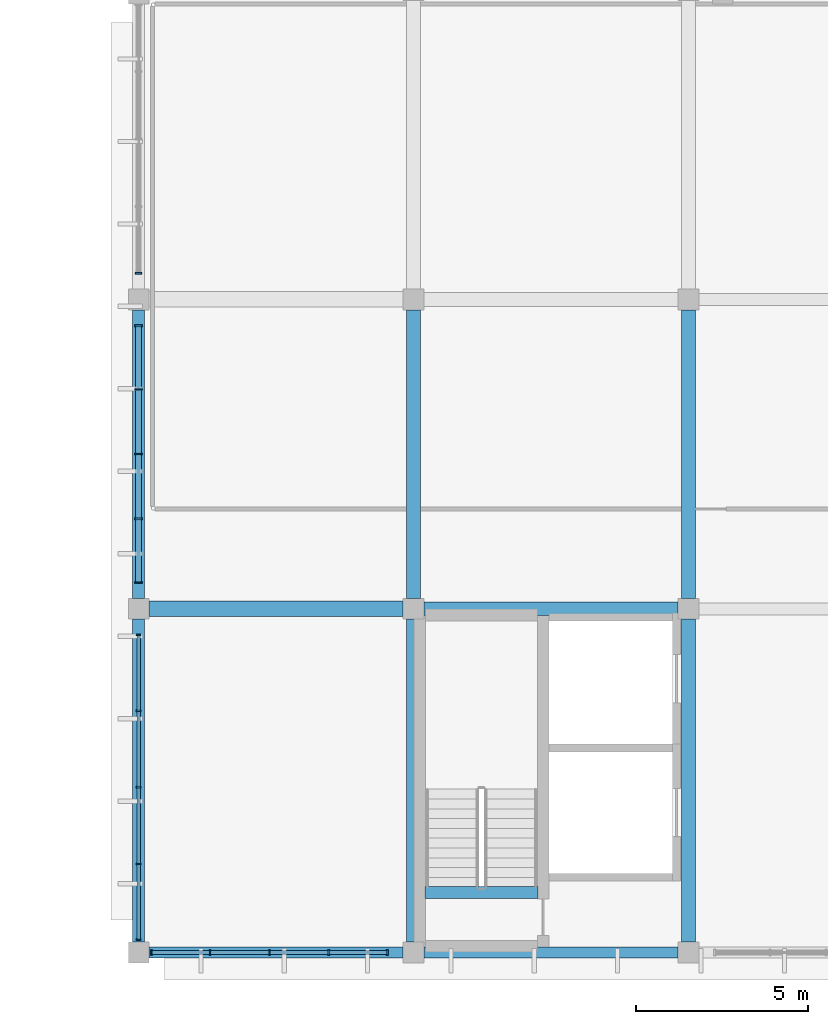
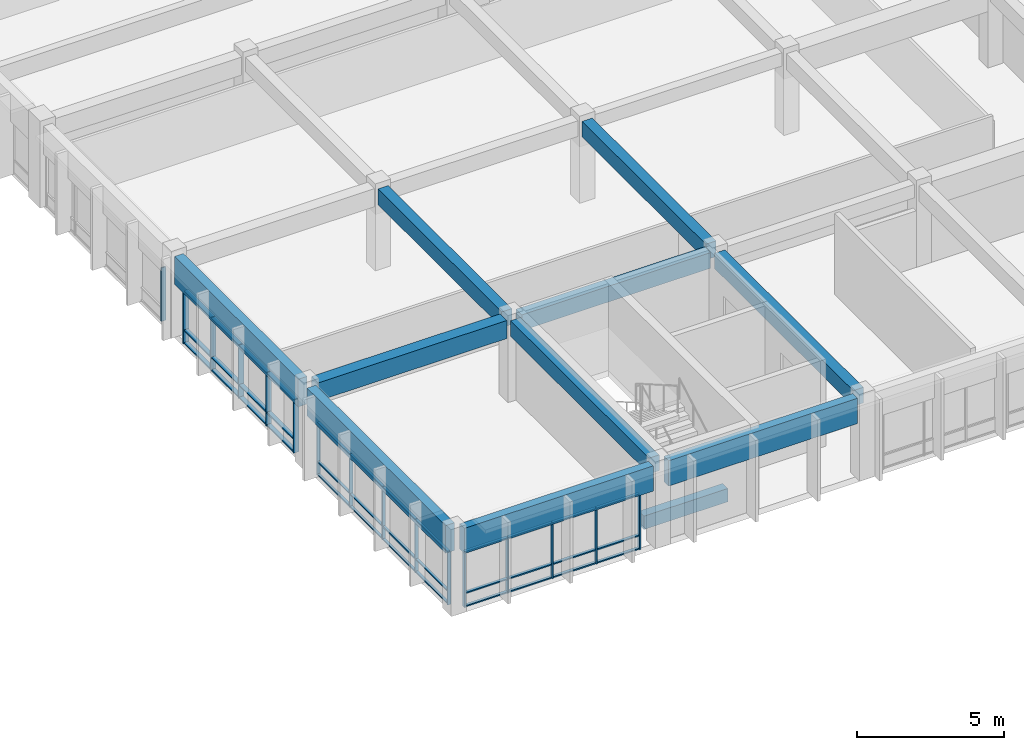
# One storey, part 12 of 155: 52 members, 11 beams, 4 elements without a shape of their own.
"""IFC4 building model written with IfcOpenShell, lengths in metres."""

from ifc_helpers import new_model, si_unit, direction, frame, origin, origin_2d, place, context, subcontext, project, spatial, rectangle, extrude, material, material_profile, profile_set, type_object, element, aggregate, save


model = new_model("IFC4")

# Units and contexts
model_context = context("Model", 3, precision=1e-05, world=origin(), true_north=direction((0.0, 1.0)))
body_context = subcontext(model_context, "Body", "Model", "MODEL_VIEW")
ifc_project = project(units=[si_unit("LENGTHUNIT", "METRE"), si_unit("AREAUNIT", "SQUARE_METRE"), si_unit("VOLUMEUNIT", "CUBIC_METRE"), si_unit("PLANEANGLEUNIT", "RADIAN"), si_unit("MASSUNIT", "GRAM", prefix="KILO")], contexts=[model_context])

# Site, building, storey
site_placement = place(None, origin())
site = spatial("IfcSite", under=ifc_project, at=site_placement, CompositionType="ELEMENT")
building_placement = place(site_placement, origin())
building = spatial("IfcBuilding", under=site, at=building_placement, Name="Larkveld Mobility Hub", CompositionType="ELEMENT")
storey_placement = place(building_placement, frame((0.0, 0.0, 8.39990234375)))
storey = spatial("IfcBuildingStorey", under=building, at=storey_placement, Name="L02", CompositionType="ELEMENT", Elevation=8.39990234375)

# Beams
ifc_material_1 = material(Name="Concrete C40/50", Category="concrete")
ifc_material_profile_1 = material_profile(ifc_material_1, rectangle(XDim=0.35009765625, YDim=0.550048828125, at=origin_2d()), Name="RC BM 350x550")
ifc_profile_set_1 = profile_set([ifc_material_profile_1], Name="Concrete C40/50")
beam_type_1 = type_object("IfcBeamType", Name="BM-RC3555", PredefinedType="BEAM", material=ifc_profile_set_1)
beam_1_placement = place(storey_placement, frame((120.330078125, 1.739990234375, -0.27001953125), z_axis=(1.0, 0.0, 0.0), x_axis=(0.0, 1.0, 0.0)))
element("IfcBeam", 1, at=beam_1_placement, inside=storey, type_object=beam_type_1, Name="Core C4 Stair Header Beam L02", PredefinedType="BEAM", context=body_context, shape_type="SweptSolid", body=[
    extrude(rectangle(XDim=0.35009765625, YDim=0.550048828125, at=origin_2d()), origin(), (0.0, 0.0, 1.0), 3.2900390625),
])
ifc_material_profile_2 = material_profile(ifc_material_1, rectangle(XDim=0.39990234375, YDim=0.64990234375, at=origin_2d()), Name="RC BM 400x650")
ifc_profile_set_2 = profile_set([ifc_material_profile_2], Name="Concrete C40/50")
beam_type_2 = type_object("IfcBeamType", Name="BM-RC4065", PredefinedType="BEAM", material=ifc_profile_set_2)
beam_2_placement = place(storey_placement, frame((120.300048828125, 10.0, 3.03515625), z_axis=(1.0, 0.0, 0.0), x_axis=(0.0, 1.0, 0.0)))
element("IfcBeam", 2, at=beam_2_placement, inside=storey, type_object=beam_type_2, Name="Primary E-W Girder L02-0492", PredefinedType="BEAM", context=body_context, shape_type="SweptSolid", body=[
    extrude(rectangle(XDim=0.39990234375, YDim=0.64990234375, at=origin_2d()), origin(), (0.0, 0.0, 1.0), 7.39990234375),
])
beam_3_placement = place(storey_placement, frame((120.0, 0.300048828125, 3.03515625), z_axis=(0.0, 1.0, 0.0), x_axis=(-1.0, 0.0, 0.0)))
element("IfcBeam", 3, at=beam_3_placement, inside=storey, type_object=beam_type_2, Name="Primary N-S Girder L02-0638", PredefinedType="BEAM", context=body_context, shape_type="SweptSolid", body=[
    extrude(rectangle(XDim=0.39990234375, YDim=0.64990234375, at=origin_2d()), origin(), (0.0, 0.0, 1.0), 9.39990234375),
])
beam_4_placement = place(storey_placement, frame((120.0, 10.300048828125, 3.03515625), z_axis=(0.0, 1.0, 0.0), x_axis=(-1.0, 0.0, 0.0)))
element("IfcBeam", 4, at=beam_4_placement, inside=storey, type_object=beam_type_2, Name="Primary N-S Girder L02-0639", PredefinedType="BEAM", context=body_context, shape_type="SweptSolid", body=[
    extrude(rectangle(XDim=0.39990234375, YDim=0.64990234375, at=origin_2d()), origin(), (0.0, 0.0, 1.0), 8.39990234375),
])
beam_5_placement = place(storey_placement, frame((128.0, 0.300048828125, 3.03515625), z_axis=(0.0, 1.0, 0.0), x_axis=(-1.0, 0.0, 0.0)))
element("IfcBeam", 5, at=beam_5_placement, inside=storey, type_object=beam_type_2, Name="Primary N-S Girder L02-0641", PredefinedType="BEAM", context=body_context, shape_type="SweptSolid", body=[
    extrude(rectangle(XDim=0.39990234375, YDim=0.64990234375, at=origin_2d()), origin(), (0.0, 0.0, 1.0), 9.39990234375),
])
beam_6_placement = place(storey_placement, frame((128.0, 10.300048828125, 3.03515625), z_axis=(0.0, 1.0, 0.0), x_axis=(-1.0, 0.0, 0.0)))
element("IfcBeam", 6, at=beam_6_placement, inside=storey, type_object=beam_type_2, Name="Primary N-S Girder L02-0642", PredefinedType="BEAM", context=body_context, shape_type="SweptSolid", body=[
    extrude(rectangle(XDim=0.39990234375, YDim=0.64990234375, at=origin_2d()), origin(), (0.0, 0.0, 1.0), 8.39990234375),
])
ifc_material_profile_3 = material_profile(ifc_material_1, rectangle(XDim=0.449951171875, YDim=0.75, at=origin_2d()), Name="RC BM 450x750")
ifc_profile_set_3 = profile_set([ifc_material_profile_3], Name="Concrete C40/50")
beam_type_3 = type_object("IfcBeamType", Name="BM-RC4575", PredefinedType="BEAM", material=ifc_profile_set_3)
beam_7_placement = place(storey_placement, frame((112.300048828125, 10.0, 2.985107421875), z_axis=(1.0, 0.0, 0.0), x_axis=(0.0, 1.0, 0.0)))
element("IfcBeam", 7, at=beam_7_placement, inside=storey, type_object=beam_type_3, Name="Primary E-W Girder L02-0491", PredefinedType="BEAM", context=body_context, shape_type="SweptSolid", body=[
    extrude(rectangle(XDim=0.449951171875, YDim=0.75, at=origin_2d()), origin(), (0.0, 0.0, 1.0), 7.39990234375),
])
ifc_material_2 = material(Name="Precast concrete C50/60", Category="concrete")
ifc_material_profile_4 = material_profile(ifc_material_2, rectangle(XDim=0.320068359375, YDim=1.050048828125, at=origin_2d()), Name="PC SP 320x1050")
ifc_profile_set_4 = profile_set([ifc_material_profile_4], Name="Precast concrete C50/60")
beam_type_4 = type_object("IfcBeamType", Name="BM-SP32105", PredefinedType="SPANDREL", material=ifc_profile_set_4)
for number, where, z_axis, x_axis, name in (
    (8, (112.300048828125, 0.0, 2.835205078125), (1.0, 0.0, 0.0), (0.0, 1.0, 0.0), "Primary E-W Girder L02-0484"),
    (9, (120.300048828125, 0.0, 2.835205078125), (1.0, 0.0, 0.0), (0.0, 1.0, 0.0), "Primary E-W Girder L02-0485"),
):
    element("IfcBeam", number, at=place(storey_placement, frame(where, z_axis=z_axis, x_axis=x_axis)), inside=storey, type_object=beam_type_4, Name=name, PredefinedType="SPANDREL", context=body_context, shape_type="SweptSolid", body=[
        extrude(rectangle(XDim=0.320068359375, YDim=1.050048828125, at=origin_2d()), origin(), (0.0, 0.0, 1.0), 7.39990234375),
    ])
ifc_material_profile_5 = material_profile(ifc_material_2, rectangle(XDim=0.35009765625, YDim=1.14990234375, at=origin_2d()), Name="PC SP 350x1150")
ifc_profile_set_5 = profile_set([ifc_material_profile_5], Name="Precast concrete C50/60")
beam_type_5 = type_object("IfcBeamType", Name="BM-SP35115", PredefinedType="SPANDREL", material=ifc_profile_set_5)
beam_8_placement = place(storey_placement, frame((112.0, 0.300048828125, 2.78515625), z_axis=(0.0, 1.0, 0.0), x_axis=(-1.0, 0.0, 0.0)))
element("IfcBeam", 10, at=beam_8_placement, inside=storey, type_object=beam_type_5, Name="Primary N-S Girder L02-0623", PredefinedType="SPANDREL", context=body_context, shape_type="SweptSolid", body=[
    extrude(rectangle(XDim=0.35009765625, YDim=1.14990234375, at=origin_2d()), origin(), (0.0, 0.0, 1.0), 9.39990234375),
])
beam_9_placement = place(storey_placement, frame((112.0, 10.300048828125, 2.78515625), z_axis=(0.0, 1.0, 0.0), x_axis=(-1.0, 0.0, 0.0)))
element("IfcBeam", 11, at=beam_9_placement, inside=storey, type_object=beam_type_5, Name="Primary N-S Girder L02-0624", PredefinedType="SPANDREL", context=body_context, shape_type="SweptSolid", body=[
    extrude(rectangle(XDim=0.35009765625, YDim=1.14990234375, at=origin_2d()), origin(), (0.0, 0.0, 1.0), 8.39990234375),
])

# Curtain wall, members
ifc_material_3 = material(Name="Anodised aluminium 6063-T6", Category="aluminium")
curtain_wall_type_1 = type_object("IfcCurtainWallType", Name="CW-SYS-05", PredefinedType="NOTDEFINED", material=ifc_material_3)
curtain_wall_1_placement = place(storey_placement, origin())
curtain_wall_1 = element("IfcCurtainWall", 12, at=curtain_wall_1_placement, inside=storey, type_object=curtain_wall_type_1, Name="Service Centre South Curtain Wall L02 CW-101", PredefinedType="NOTDEFINED")
ifc_material_profile_6 = material_profile(ifc_material_3, rectangle(XDim=0.050048828125, YDim=0.14990234375, at=origin_2d()), Name="ALU MULL 50x150")
ifc_profile_set_6 = profile_set([ifc_material_profile_6], Name="Anodised aluminium 6063-T6")
member_type_1 = type_object("IfcMemberType", Name="CW-MUL-01", PredefinedType="MULLION", material=ifc_profile_set_6)
member_1_placement = place(storey_placement, frame((112.375, 0.0, -0.001953125), z_axis=(0.0, 0.0, 1.0), x_axis=(1.0, 0.0, 0.0)))
member_1 = element("IfcMember", 13, at=member_1_placement, type_object=member_type_1, Name="CW05 mullion 1", PredefinedType="MULLION", context=body_context, shape_type="SweptSolid", body=[
    extrude(rectangle(XDim=0.050048828125, YDim=0.14990234375, at=origin_2d()), origin(), (0.0, 0.0, 1.0), 2.31201171875),
])
member_2_placement = place(storey_placement, frame((114.077880859375, 0.0, -0.001953125), z_axis=(0.0, 0.0, 1.0), x_axis=(1.0, 0.0, 0.0)))
member_2 = element("IfcMember", 14, at=member_2_placement, type_object=member_type_1, Name="CW05 mullion 2", PredefinedType="MULLION", context=body_context, shape_type="SweptSolid", body=[
    extrude(rectangle(XDim=0.050048828125, YDim=0.14990234375, at=origin_2d()), origin(), (0.0, 0.0, 1.0), 2.31201171875),
])
member_3_placement = place(storey_placement, frame((115.804931640625, 0.0, -0.001953125), z_axis=(0.0, 0.0, 1.0), x_axis=(1.0, 0.0, 0.0)))
member_3 = element("IfcMember", 15, at=member_3_placement, type_object=member_type_1, Name="CW05 mullion 3", PredefinedType="MULLION", context=body_context, shape_type="SweptSolid", body=[
    extrude(rectangle(XDim=0.050048828125, YDim=0.14990234375, at=origin_2d()), origin(), (0.0, 0.0, 1.0), 2.31201171875),
])
member_4_placement = place(storey_placement, frame((117.531982421875, 0.0, -0.001953125), z_axis=(0.0, 0.0, 1.0), x_axis=(1.0, 0.0, 0.0)))
member_4 = element("IfcMember", 16, at=member_4_placement, type_object=member_type_1, Name="CW05 mullion 4", PredefinedType="MULLION", context=body_context, shape_type="SweptSolid", body=[
    extrude(rectangle(XDim=0.050048828125, YDim=0.14990234375, at=origin_2d()), origin(), (0.0, 0.0, 1.0), 2.31201171875),
])
member_5_placement = place(storey_placement, frame((119.235107421875, 0.0, -0.001953125), z_axis=(0.0, 0.0, 1.0), x_axis=(1.0, 0.0, 0.0)))
member_5 = element("IfcMember", 17, at=member_5_placement, type_object=member_type_1, Name="CW05 mullion 5", PredefinedType="MULLION", context=body_context, shape_type="SweptSolid", body=[
    extrude(rectangle(XDim=0.050048828125, YDim=0.14990234375, at=origin_2d()), origin(), (0.0, 0.0, 1.0), 2.31201171875),
])

# Curtain wall, member
curtain_wall_type_2 = type_object("IfcCurtainWallType", Name="CW-SYS-02", PredefinedType="NOTDEFINED", material=ifc_material_3)
curtain_wall_2_placement = place(storey_placement, origin())
curtain_wall_2 = element("IfcCurtainWall", 18, at=curtain_wall_2_placement, inside=storey, type_object=curtain_wall_type_2, Name="Public Passage East Service Facade L02 CW-110", PredefinedType="NOTDEFINED")
ifc_material_profile_7 = material_profile(ifc_material_3, rectangle(XDim=0.050048828125, YDim=0.179931640625, at=origin_2d()), Name="ALU MULL 50x180")
ifc_profile_set_7 = profile_set([ifc_material_profile_7], Name="Anodised aluminium 6063-T6")
member_type_2 = type_object("IfcMemberType", Name="CW-MUL-02", PredefinedType="MULLION", material=ifc_profile_set_7)
member_6_placement = place(storey_placement, frame((112.0, 19.764892578125, -0.001953125), z_axis=(0.0, 0.0, 1.0), x_axis=(0.0, -1.0, 0.0)))
member_6 = element("IfcMember", 19, at=member_6_placement, type_object=member_type_2, Name="CW02 mullion 5", PredefinedType="MULLION", context=body_context, shape_type="SweptSolid", body=[
    extrude(rectangle(XDim=0.050048828125, YDim=0.179931640625, at=origin_2d()), origin(), (0.0, 0.0, 1.0), 2.212158203125),
])
aggregate(curtain_wall_2, [member_6])

# Curtain wall, members
curtain_wall_type_3 = type_object("IfcCurtainWallType", Name="CW-SYS-03", PredefinedType="NOTDEFINED", material=ifc_material_3)
curtain_wall_3_placement = place(storey_placement, origin())
curtain_wall_3 = element("IfcCurtainWall", 20, at=curtain_wall_3_placement, inside=storey, type_object=curtain_wall_type_3, Name="Public Passage East Service Facade L02 CW-111", PredefinedType="NOTDEFINED")
ifc_material_profile_8 = material_profile(ifc_material_3, rectangle(XDim=0.050048828125, YDim=0.2099609375, at=origin_2d()), Name="ALU MULL 50x210")
ifc_profile_set_8 = profile_set([ifc_material_profile_8], Name="Anodised aluminium 6063-T6")
member_type_3 = type_object("IfcMemberType", Name="CW-MUL-03", PredefinedType="MULLION", material=ifc_profile_set_8)
member_7_placement = place(storey_placement, frame((112.0, 18.235107421875, -0.001953125), z_axis=(0.0, 0.0, 1.0), x_axis=(0.0, -1.0, 0.0)))
member_7 = element("IfcMember", 21, at=member_7_placement, type_object=member_type_3, Name="CW03 mullion 1", PredefinedType="MULLION", context=body_context, shape_type="SweptSolid", body=[
    extrude(rectangle(XDim=0.050048828125, YDim=0.2099609375, at=origin_2d()), origin(), (0.0, 0.0, 1.0), 2.212158203125),
])
member_8_placement = place(storey_placement, frame((112.0, 16.3798828125, -0.001953125), z_axis=(0.0, 0.0, 1.0), x_axis=(0.0, -1.0, 0.0)))
member_8 = element("IfcMember", 22, at=member_8_placement, type_object=member_type_3, Name="CW03 mullion 2", PredefinedType="MULLION", context=body_context, shape_type="SweptSolid", body=[
    extrude(rectangle(XDim=0.050048828125, YDim=0.2099609375, at=origin_2d()), origin(), (0.0, 0.0, 1.0), 2.212158203125),
])
member_9_placement = place(storey_placement, frame((112.0, 14.5, -0.001953125), z_axis=(0.0, 0.0, 1.0), x_axis=(0.0, -1.0, 0.0)))
member_9 = element("IfcMember", 23, at=member_9_placement, type_object=member_type_3, Name="CW03 mullion 3", PredefinedType="MULLION", context=body_context, shape_type="SweptSolid", body=[
    extrude(rectangle(XDim=0.050048828125, YDim=0.2099609375, at=origin_2d()), origin(), (0.0, 0.0, 1.0), 2.212158203125),
])
member_10_placement = place(storey_placement, frame((112.0, 12.6201171875, -0.001953125), z_axis=(0.0, 0.0, 1.0), x_axis=(0.0, -1.0, 0.0)))
member_10 = element("IfcMember", 24, at=member_10_placement, type_object=member_type_3, Name="CW03 mullion 4", PredefinedType="MULLION", context=body_context, shape_type="SweptSolid", body=[
    extrude(rectangle(XDim=0.050048828125, YDim=0.2099609375, at=origin_2d()), origin(), (0.0, 0.0, 1.0), 2.212158203125),
])
member_11_placement = place(storey_placement, frame((112.0, 10.764892578125, -0.001953125), z_axis=(0.0, 0.0, 1.0), x_axis=(0.0, -1.0, 0.0)))
member_11 = element("IfcMember", 25, at=member_11_placement, type_object=member_type_3, Name="CW03 mullion 5", PredefinedType="MULLION", context=body_context, shape_type="SweptSolid", body=[
    extrude(rectangle(XDim=0.050048828125, YDim=0.2099609375, at=origin_2d()), origin(), (0.0, 0.0, 1.0), 2.212158203125),
])

curtain_wall_type_4 = type_object("IfcCurtainWallType", Name="CW-SYS-04", PredefinedType="NOTDEFINED", material=ifc_material_3)
curtain_wall_4_placement = place(storey_placement, origin())
curtain_wall_4 = element("IfcCurtainWall", 26, at=curtain_wall_4_placement, inside=storey, type_object=curtain_wall_type_4, Name="Public Passage East Service Facade L02 CW-112", PredefinedType="NOTDEFINED")
ifc_material_profile_9 = material_profile(ifc_material_3, rectangle(XDim=0.050048828125, YDim=0.1298828125, at=origin_2d()), Name="ALU MULL 50x130")
ifc_profile_set_9 = profile_set([ifc_material_profile_9], Name="Anodised aluminium 6063-T6")
member_type_4 = type_object("IfcMemberType", Name="CW-MUL-04", PredefinedType="MULLION", material=ifc_profile_set_9)
member_12_placement = place(storey_placement, frame((112.0, 9.235107421875, -0.001953125), z_axis=(0.0, 0.0, 1.0), x_axis=(0.0, -1.0, 0.0)))
member_12 = element("IfcMember", 27, at=member_12_placement, type_object=member_type_4, Name="CW04 mullion 1", PredefinedType="MULLION", context=body_context, shape_type="SweptSolid", body=[
    extrude(rectangle(XDim=0.050048828125, YDim=0.1298828125, at=origin_2d()), origin(), (0.0, 0.0, 1.0), 2.212158203125),
])
member_13_placement = place(storey_placement, frame((112.0, 7.031982421875, -0.001953125), z_axis=(0.0, 0.0, 1.0), x_axis=(0.0, -1.0, 0.0)))
member_13 = element("IfcMember", 28, at=member_13_placement, type_object=member_type_4, Name="CW04 mullion 2", PredefinedType="MULLION", context=body_context, shape_type="SweptSolid", body=[
    extrude(rectangle(XDim=0.050048828125, YDim=0.1298828125, at=origin_2d()), origin(), (0.0, 0.0, 1.0), 2.212158203125),
])
member_14_placement = place(storey_placement, frame((112.0, 4.804931640625, -0.001953125), z_axis=(0.0, 0.0, 1.0), x_axis=(0.0, -1.0, 0.0)))
member_14 = element("IfcMember", 29, at=member_14_placement, type_object=member_type_4, Name="CW04 mullion 3", PredefinedType="MULLION", context=body_context, shape_type="SweptSolid", body=[
    extrude(rectangle(XDim=0.050048828125, YDim=0.1298828125, at=origin_2d()), origin(), (0.0, 0.0, 1.0), 2.212158203125),
])
member_15_placement = place(storey_placement, frame((112.0, 2.576904296875, -0.001953125), z_axis=(0.0, 0.0, 1.0), x_axis=(0.0, -1.0, 0.0)))
member_15 = element("IfcMember", 30, at=member_15_placement, type_object=member_type_4, Name="CW04 mullion 4", PredefinedType="MULLION", context=body_context, shape_type="SweptSolid", body=[
    extrude(rectangle(XDim=0.050048828125, YDim=0.1298828125, at=origin_2d()), origin(), (0.0, 0.0, 1.0), 2.212158203125),
])
member_16_placement = place(storey_placement, frame((112.0, 0.375, -0.001953125), z_axis=(0.0, 0.0, 1.0), x_axis=(0.0, -1.0, 0.0)))
member_16 = element("IfcMember", 31, at=member_16_placement, type_object=member_type_4, Name="CW04 mullion 5", PredefinedType="MULLION", context=body_context, shape_type="SweptSolid", body=[
    extrude(rectangle(XDim=0.050048828125, YDim=0.1298828125, at=origin_2d()), origin(), (0.0, 0.0, 1.0), 2.212158203125),
])

# Member
ifc_material_profile_10 = material_profile(ifc_material_3, rectangle(XDim=0.1201171875, YDim=0.050048828125, at=origin_2d()), Name="ALU TRAN 50x120")
ifc_profile_set_10 = profile_set([ifc_material_profile_10], Name="Anodised aluminium 6063-T6")
member_type_5 = type_object("IfcMemberType", Name="CW-TRN-01", PredefinedType="USERDEFINED", material=ifc_profile_set_10)
member_17_placement = place(storey_placement, frame((112.385009765625, 0.0, 0.030029296875), z_axis=(1.0, 0.0, 0.0), x_axis=(0.0, 1.0, 0.0)))
member_17 = element("IfcMember", 32, at=member_17_placement, type_object=member_type_5, Name="CW05 transom 1.1", ObjectType="TRANSOM", PredefinedType="USERDEFINED", context=body_context, shape_type="SweptSolid", body=[
    extrude(rectangle(XDim=0.1201171875, YDim=0.050048828125, at=origin_2d()), origin(), (0.0, 0.0, 1.0), 1.677001953125),
])

member_18_placement = place(storey_placement, frame((112.385009765625, 0.0, 0.5771484375), z_axis=(1.0, 0.0, 0.0), x_axis=(0.0, 1.0, 0.0)))
member_18 = element("IfcMember", 33, at=member_18_placement, type_object=member_type_5, Name="CW05 transom 1.2", ObjectType="TRANSOM", PredefinedType="USERDEFINED", context=body_context, shape_type="SweptSolid", body=[
    extrude(rectangle(XDim=0.1201171875, YDim=0.050048828125, at=origin_2d()), origin(), (0.0, 0.0, 1.0), 1.677001953125),
])

member_19_placement = place(storey_placement, frame((112.385009765625, 0.0, 2.278076171875), z_axis=(1.0, 0.0, 0.0), x_axis=(0.0, 1.0, 0.0)))
member_19 = element("IfcMember", 34, at=member_19_placement, type_object=member_type_5, Name="CW05 transom 1.3", ObjectType="TRANSOM", PredefinedType="USERDEFINED", context=body_context, shape_type="SweptSolid", body=[
    extrude(rectangle(XDim=0.1201171875, YDim=0.050048828125, at=origin_2d()), origin(), (0.0, 0.0, 1.0), 1.677001953125),
])

member_20_placement = place(storey_placement, frame((114.093017578125, 0.0, 0.030029296875), z_axis=(1.0, 0.0, 0.0), x_axis=(0.0, 1.0, 0.0)))
member_20 = element("IfcMember", 35, at=member_20_placement, type_object=member_type_5, Name="CW05 transom 2.1", ObjectType="TRANSOM", PredefinedType="USERDEFINED", context=body_context, shape_type="SweptSolid", body=[
    extrude(rectangle(XDim=0.1201171875, YDim=0.050048828125, at=origin_2d()), origin(), (0.0, 0.0, 1.0), 1.697021484375),
])

member_21_placement = place(storey_placement, frame((114.093017578125, 0.0, 0.5771484375), z_axis=(1.0, 0.0, 0.0), x_axis=(0.0, 1.0, 0.0)))
member_21 = element("IfcMember", 36, at=member_21_placement, type_object=member_type_5, Name="CW05 transom 2.2", ObjectType="TRANSOM", PredefinedType="USERDEFINED", context=body_context, shape_type="SweptSolid", body=[
    extrude(rectangle(XDim=0.1201171875, YDim=0.050048828125, at=origin_2d()), origin(), (0.0, 0.0, 1.0), 1.697021484375),
])

member_22_placement = place(storey_placement, frame((114.093017578125, 0.0, 2.278076171875), z_axis=(1.0, 0.0, 0.0), x_axis=(0.0, 1.0, 0.0)))
member_22 = element("IfcMember", 37, at=member_22_placement, type_object=member_type_5, Name="CW05 transom 2.3", ObjectType="TRANSOM", PredefinedType="USERDEFINED", context=body_context, shape_type="SweptSolid", body=[
    extrude(rectangle(XDim=0.1201171875, YDim=0.050048828125, at=origin_2d()), origin(), (0.0, 0.0, 1.0), 1.697021484375),
])

member_23_placement = place(storey_placement, frame((115.820068359375, 0.0, 0.030029296875), z_axis=(1.0, 0.0, 0.0), x_axis=(0.0, 1.0, 0.0)))
member_23 = element("IfcMember", 38, at=member_23_placement, type_object=member_type_5, Name="CW05 transom 3.1", ObjectType="TRANSOM", PredefinedType="USERDEFINED", context=body_context, shape_type="SweptSolid", body=[
    extrude(rectangle(XDim=0.1201171875, YDim=0.050048828125, at=origin_2d()), origin(), (0.0, 0.0, 1.0), 1.697021484375),
])

member_24_placement = place(storey_placement, frame((115.820068359375, 0.0, 0.5771484375), z_axis=(1.0, 0.0, 0.0), x_axis=(0.0, 1.0, 0.0)))
member_24 = element("IfcMember", 39, at=member_24_placement, type_object=member_type_5, Name="CW05 transom 3.2", ObjectType="TRANSOM", PredefinedType="USERDEFINED", context=body_context, shape_type="SweptSolid", body=[
    extrude(rectangle(XDim=0.1201171875, YDim=0.050048828125, at=origin_2d()), origin(), (0.0, 0.0, 1.0), 1.697021484375),
])

member_25_placement = place(storey_placement, frame((115.820068359375, 0.0, 2.278076171875), z_axis=(1.0, 0.0, 0.0), x_axis=(0.0, 1.0, 0.0)))
member_25 = element("IfcMember", 40, at=member_25_placement, type_object=member_type_5, Name="CW05 transom 3.3", ObjectType="TRANSOM", PredefinedType="USERDEFINED", context=body_context, shape_type="SweptSolid", body=[
    extrude(rectangle(XDim=0.1201171875, YDim=0.050048828125, at=origin_2d()), origin(), (0.0, 0.0, 1.0), 1.697021484375),
])

member_26_placement = place(storey_placement, frame((117.547119140625, 0.0, 0.030029296875), z_axis=(1.0, 0.0, 0.0), x_axis=(0.0, 1.0, 0.0)))
member_26 = element("IfcMember", 41, at=member_26_placement, type_object=member_type_5, Name="CW05 transom 4.1", ObjectType="TRANSOM", PredefinedType="USERDEFINED", context=body_context, shape_type="SweptSolid", body=[
    extrude(rectangle(XDim=0.1201171875, YDim=0.050048828125, at=origin_2d()), origin(), (0.0, 0.0, 1.0), 1.677978515625),
])

member_27_placement = place(storey_placement, frame((117.547119140625, 0.0, 0.5771484375), z_axis=(1.0, 0.0, 0.0), x_axis=(0.0, 1.0, 0.0)))
member_27 = element("IfcMember", 42, at=member_27_placement, type_object=member_type_5, Name="CW05 transom 4.2", ObjectType="TRANSOM", PredefinedType="USERDEFINED", context=body_context, shape_type="SweptSolid", body=[
    extrude(rectangle(XDim=0.1201171875, YDim=0.050048828125, at=origin_2d()), origin(), (0.0, 0.0, 1.0), 1.677978515625),
])

member_28_placement = place(storey_placement, frame((117.547119140625, 0.0, 2.278076171875), z_axis=(1.0, 0.0, 0.0), x_axis=(0.0, 1.0, 0.0)))
member_28 = element("IfcMember", 43, at=member_28_placement, type_object=member_type_5, Name="CW05 transom 4.3", ObjectType="TRANSOM", PredefinedType="USERDEFINED", context=body_context, shape_type="SweptSolid", body=[
    extrude(rectangle(XDim=0.1201171875, YDim=0.050048828125, at=origin_2d()), origin(), (0.0, 0.0, 1.0), 1.677978515625),
])

aggregate(curtain_wall_1, [member_1, member_2, member_3, member_4, member_5, member_17, member_18, member_19, member_20, member_21, member_22, member_23, member_24, member_25, member_26, member_27, member_28])

ifc_material_profile_11 = material_profile(ifc_material_3, rectangle(XDim=0.169921875, YDim=0.050048828125, at=origin_2d()), Name="ALU TRAN 50x170")
ifc_profile_set_11 = profile_set([ifc_material_profile_11], Name="Anodised aluminium 6063-T6")
member_type_6 = type_object("IfcMemberType", Name="CW-TRN-03", PredefinedType="USERDEFINED", material=ifc_profile_set_11)
member_29_placement = place(storey_placement, frame((112.0, 18.22509765625, 0.030029296875), z_axis=(0.0, -1.0, 0.0), x_axis=(1.0, 0.0, 0.0)))
member_29 = element("IfcMember", 44, at=member_29_placement, type_object=member_type_6, Name="CW03 transom 1.1", ObjectType="TRANSOM", PredefinedType="USERDEFINED", context=body_context, shape_type="SweptSolid", body=[
    extrude(rectangle(XDim=0.169921875, YDim=0.050048828125, at=origin_2d()), origin(), (0.0, 0.0, 1.0), 1.830078125),
])

member_30_placement = place(storey_placement, frame((112.0, 18.22509765625, 0.552001953125), z_axis=(0.0, -1.0, 0.0), x_axis=(1.0, 0.0, 0.0)))
member_30 = element("IfcMember", 45, at=member_30_placement, type_object=member_type_6, Name="CW03 transom 1.2", ObjectType="TRANSOM", PredefinedType="USERDEFINED", context=body_context, shape_type="SweptSolid", body=[
    extrude(rectangle(XDim=0.169921875, YDim=0.050048828125, at=origin_2d()), origin(), (0.0, 0.0, 1.0), 1.830078125),
])

member_31_placement = place(storey_placement, frame((112.0, 18.22509765625, 2.177978515625), z_axis=(0.0, -1.0, 0.0), x_axis=(1.0, 0.0, 0.0)))
member_31 = element("IfcMember", 46, at=member_31_placement, type_object=member_type_6, Name="CW03 transom 1.3", ObjectType="TRANSOM", PredefinedType="USERDEFINED", context=body_context, shape_type="SweptSolid", body=[
    extrude(rectangle(XDim=0.169921875, YDim=0.050048828125, at=origin_2d()), origin(), (0.0, 0.0, 1.0), 1.830078125),
])

member_32_placement = place(storey_placement, frame((112.0, 16.364990234375, 0.030029296875), z_axis=(0.0, -1.0, 0.0), x_axis=(1.0, 0.0, 0.0)))
member_32 = element("IfcMember", 47, at=member_32_placement, type_object=member_type_6, Name="CW03 transom 2.1", ObjectType="TRANSOM", PredefinedType="USERDEFINED", context=body_context, shape_type="SweptSolid", body=[
    extrude(rectangle(XDim=0.169921875, YDim=0.050048828125, at=origin_2d()), origin(), (0.0, 0.0, 1.0), 1.85009765625),
])

member_33_placement = place(storey_placement, frame((112.0, 16.364990234375, 0.552001953125), z_axis=(0.0, -1.0, 0.0), x_axis=(1.0, 0.0, 0.0)))
member_33 = element("IfcMember", 48, at=member_33_placement, type_object=member_type_6, Name="CW03 transom 2.2", ObjectType="TRANSOM", PredefinedType="USERDEFINED", context=body_context, shape_type="SweptSolid", body=[
    extrude(rectangle(XDim=0.169921875, YDim=0.050048828125, at=origin_2d()), origin(), (0.0, 0.0, 1.0), 1.85009765625),
])

member_34_placement = place(storey_placement, frame((112.0, 16.364990234375, 2.177978515625), z_axis=(0.0, -1.0, 0.0), x_axis=(1.0, 0.0, 0.0)))
member_34 = element("IfcMember", 49, at=member_34_placement, type_object=member_type_6, Name="CW03 transom 2.3", ObjectType="TRANSOM", PredefinedType="USERDEFINED", context=body_context, shape_type="SweptSolid", body=[
    extrude(rectangle(XDim=0.169921875, YDim=0.050048828125, at=origin_2d()), origin(), (0.0, 0.0, 1.0), 1.85009765625),
])

member_35_placement = place(storey_placement, frame((112.0, 14.485107421875, 0.030029296875), z_axis=(0.0, -1.0, 0.0), x_axis=(1.0, 0.0, 0.0)))
member_35 = element("IfcMember", 50, at=member_35_placement, type_object=member_type_6, Name="CW03 transom 3.1", ObjectType="TRANSOM", PredefinedType="USERDEFINED", context=body_context, shape_type="SweptSolid", body=[
    extrude(rectangle(XDim=0.169921875, YDim=0.050048828125, at=origin_2d()), origin(), (0.0, 0.0, 1.0), 1.85009765625),
])

member_36_placement = place(storey_placement, frame((112.0, 14.485107421875, 0.552001953125), z_axis=(0.0, -1.0, 0.0), x_axis=(1.0, 0.0, 0.0)))
member_36 = element("IfcMember", 51, at=member_36_placement, type_object=member_type_6, Name="CW03 transom 3.2", ObjectType="TRANSOM", PredefinedType="USERDEFINED", context=body_context, shape_type="SweptSolid", body=[
    extrude(rectangle(XDim=0.169921875, YDim=0.050048828125, at=origin_2d()), origin(), (0.0, 0.0, 1.0), 1.85009765625),
])

member_37_placement = place(storey_placement, frame((112.0, 14.485107421875, 2.177978515625), z_axis=(0.0, -1.0, 0.0), x_axis=(1.0, 0.0, 0.0)))
member_37 = element("IfcMember", 52, at=member_37_placement, type_object=member_type_6, Name="CW03 transom 3.3", ObjectType="TRANSOM", PredefinedType="USERDEFINED", context=body_context, shape_type="SweptSolid", body=[
    extrude(rectangle(XDim=0.169921875, YDim=0.050048828125, at=origin_2d()), origin(), (0.0, 0.0, 1.0), 1.85009765625),
])

member_38_placement = place(storey_placement, frame((112.0, 12.60498046875, 0.030029296875), z_axis=(0.0, -1.0, 0.0), x_axis=(1.0, 0.0, 0.0)))
member_38 = element("IfcMember", 53, at=member_38_placement, type_object=member_type_6, Name="CW03 transom 4.1", ObjectType="TRANSOM", PredefinedType="USERDEFINED", context=body_context, shape_type="SweptSolid", body=[
    extrude(rectangle(XDim=0.169921875, YDim=0.050048828125, at=origin_2d()), origin(), (0.0, 0.0, 1.0), 1.830078125),
])

member_39_placement = place(storey_placement, frame((112.0, 12.60498046875, 0.552001953125), z_axis=(0.0, -1.0, 0.0), x_axis=(1.0, 0.0, 0.0)))
member_39 = element("IfcMember", 54, at=member_39_placement, type_object=member_type_6, Name="CW03 transom 4.2", ObjectType="TRANSOM", PredefinedType="USERDEFINED", context=body_context, shape_type="SweptSolid", body=[
    extrude(rectangle(XDim=0.169921875, YDim=0.050048828125, at=origin_2d()), origin(), (0.0, 0.0, 1.0), 1.830078125),
])

member_40_placement = place(storey_placement, frame((112.0, 12.60498046875, 2.177978515625), z_axis=(0.0, -1.0, 0.0), x_axis=(1.0, 0.0, 0.0)))
member_40 = element("IfcMember", 55, at=member_40_placement, type_object=member_type_6, Name="CW03 transom 4.3", ObjectType="TRANSOM", PredefinedType="USERDEFINED", context=body_context, shape_type="SweptSolid", body=[
    extrude(rectangle(XDim=0.169921875, YDim=0.050048828125, at=origin_2d()), origin(), (0.0, 0.0, 1.0), 1.830078125),
])

aggregate(curtain_wall_3, [member_7, member_8, member_9, member_10, member_11, member_29, member_30, member_31, member_32, member_33, member_34, member_35, member_36, member_37, member_38, member_39, member_40])

ifc_material_profile_12 = material_profile(ifc_material_3, rectangle(XDim=0.10009765625, YDim=0.050048828125, at=origin_2d()), Name="ALU TRAN 50x100")
ifc_profile_set_12 = profile_set([ifc_material_profile_12], Name="Anodised aluminium 6063-T6")
member_type_7 = type_object("IfcMemberType", Name="CW-TRN-04", PredefinedType="USERDEFINED", material=ifc_profile_set_12)
member_41_placement = place(storey_placement, frame((112.0, 9.22509765625, 0.030029296875), z_axis=(0.0, -1.0, 0.0), x_axis=(1.0, 0.0, 0.0)))
member_41 = element("IfcMember", 56, at=member_41_placement, type_object=member_type_7, Name="CW04 transom 1.1", ObjectType="TRANSOM", PredefinedType="USERDEFINED", context=body_context, shape_type="SweptSolid", body=[
    extrude(rectangle(XDim=0.10009765625, YDim=0.050048828125, at=origin_2d()), origin(), (0.0, 0.0, 1.0), 2.177978515625),
])

member_42_placement = place(storey_placement, frame((112.0, 9.22509765625, 0.552001953125), z_axis=(0.0, -1.0, 0.0), x_axis=(1.0, 0.0, 0.0)))
member_42 = element("IfcMember", 57, at=member_42_placement, type_object=member_type_7, Name="CW04 transom 1.2", ObjectType="TRANSOM", PredefinedType="USERDEFINED", context=body_context, shape_type="SweptSolid", body=[
    extrude(rectangle(XDim=0.10009765625, YDim=0.050048828125, at=origin_2d()), origin(), (0.0, 0.0, 1.0), 2.177978515625),
])

member_43_placement = place(storey_placement, frame((112.0, 9.22509765625, 2.177978515625), z_axis=(0.0, -1.0, 0.0), x_axis=(1.0, 0.0, 0.0)))
member_43 = element("IfcMember", 58, at=member_43_placement, type_object=member_type_7, Name="CW04 transom 1.3", ObjectType="TRANSOM", PredefinedType="USERDEFINED", context=body_context, shape_type="SweptSolid", body=[
    extrude(rectangle(XDim=0.10009765625, YDim=0.050048828125, at=origin_2d()), origin(), (0.0, 0.0, 1.0), 2.177978515625),
])

member_44_placement = place(storey_placement, frame((112.0, 7.01806640625, 0.030029296875), z_axis=(0.0, -1.0, 0.0), x_axis=(1.0, 0.0, 0.0)))
member_44 = element("IfcMember", 59, at=member_44_placement, type_object=member_type_7, Name="CW04 transom 2.1", ObjectType="TRANSOM", PredefinedType="USERDEFINED", context=body_context, shape_type="SweptSolid", body=[
    extrude(rectangle(XDim=0.10009765625, YDim=0.050048828125, at=origin_2d()), origin(), (0.0, 0.0, 1.0), 2.197998046875),
])

member_45_placement = place(storey_placement, frame((112.0, 7.01806640625, 0.552001953125), z_axis=(0.0, -1.0, 0.0), x_axis=(1.0, 0.0, 0.0)))
member_45 = element("IfcMember", 60, at=member_45_placement, type_object=member_type_7, Name="CW04 transom 2.2", ObjectType="TRANSOM", PredefinedType="USERDEFINED", context=body_context, shape_type="SweptSolid", body=[
    extrude(rectangle(XDim=0.10009765625, YDim=0.050048828125, at=origin_2d()), origin(), (0.0, 0.0, 1.0), 2.197998046875),
])

member_46_placement = place(storey_placement, frame((112.0, 7.01806640625, 2.177978515625), z_axis=(0.0, -1.0, 0.0), x_axis=(1.0, 0.0, 0.0)))
member_46 = element("IfcMember", 61, at=member_46_placement, type_object=member_type_7, Name="CW04 transom 2.3", ObjectType="TRANSOM", PredefinedType="USERDEFINED", context=body_context, shape_type="SweptSolid", body=[
    extrude(rectangle(XDim=0.10009765625, YDim=0.050048828125, at=origin_2d()), origin(), (0.0, 0.0, 1.0), 2.197998046875),
])

member_47_placement = place(storey_placement, frame((112.0, 4.7900390625, 0.030029296875), z_axis=(0.0, -1.0, 0.0), x_axis=(1.0, 0.0, 0.0)))
member_47 = element("IfcMember", 62, at=member_47_placement, type_object=member_type_7, Name="CW04 transom 3.1", ObjectType="TRANSOM", PredefinedType="USERDEFINED", context=body_context, shape_type="SweptSolid", body=[
    extrude(rectangle(XDim=0.10009765625, YDim=0.050048828125, at=origin_2d()), origin(), (0.0, 0.0, 1.0), 2.197998046875),
])

member_48_placement = place(storey_placement, frame((112.0, 4.7900390625, 0.552001953125), z_axis=(0.0, -1.0, 0.0), x_axis=(1.0, 0.0, 0.0)))
member_48 = element("IfcMember", 63, at=member_48_placement, type_object=member_type_7, Name="CW04 transom 3.2", ObjectType="TRANSOM", PredefinedType="USERDEFINED", context=body_context, shape_type="SweptSolid", body=[
    extrude(rectangle(XDim=0.10009765625, YDim=0.050048828125, at=origin_2d()), origin(), (0.0, 0.0, 1.0), 2.197998046875),
])

member_49_placement = place(storey_placement, frame((112.0, 4.7900390625, 2.177978515625), z_axis=(0.0, -1.0, 0.0), x_axis=(1.0, 0.0, 0.0)))
member_49 = element("IfcMember", 64, at=member_49_placement, type_object=member_type_7, Name="CW04 transom 3.3", ObjectType="TRANSOM", PredefinedType="USERDEFINED", context=body_context, shape_type="SweptSolid", body=[
    extrude(rectangle(XDim=0.10009765625, YDim=0.050048828125, at=origin_2d()), origin(), (0.0, 0.0, 1.0), 2.197998046875),
])

member_50_placement = place(storey_placement, frame((112.0, 2.56201171875, 0.030029296875), z_axis=(0.0, -1.0, 0.0), x_axis=(1.0, 0.0, 0.0)))
member_50 = element("IfcMember", 65, at=member_50_placement, type_object=member_type_7, Name="CW04 transom 4.1", ObjectType="TRANSOM", PredefinedType="USERDEFINED", context=body_context, shape_type="SweptSolid", body=[
    extrude(rectangle(XDim=0.10009765625, YDim=0.050048828125, at=origin_2d()), origin(), (0.0, 0.0, 1.0), 2.177001953125),
])

member_51_placement = place(storey_placement, frame((112.0, 2.56201171875, 0.552001953125), z_axis=(0.0, -1.0, 0.0), x_axis=(1.0, 0.0, 0.0)))
member_51 = element("IfcMember", 66, at=member_51_placement, type_object=member_type_7, Name="CW04 transom 4.2", ObjectType="TRANSOM", PredefinedType="USERDEFINED", context=body_context, shape_type="SweptSolid", body=[
    extrude(rectangle(XDim=0.10009765625, YDim=0.050048828125, at=origin_2d()), origin(), (0.0, 0.0, 1.0), 2.177001953125),
])

member_52_placement = place(storey_placement, frame((112.0, 2.56201171875, 2.177978515625), z_axis=(0.0, -1.0, 0.0), x_axis=(1.0, 0.0, 0.0)))
member_52 = element("IfcMember", 67, at=member_52_placement, type_object=member_type_7, Name="CW04 transom 4.3", ObjectType="TRANSOM", PredefinedType="USERDEFINED", context=body_context, shape_type="SweptSolid", body=[
    extrude(rectangle(XDim=0.10009765625, YDim=0.050048828125, at=origin_2d()), origin(), (0.0, 0.0, 1.0), 2.177001953125),
])

aggregate(curtain_wall_4, [member_12, member_13, member_14, member_15, member_16, member_41, member_42, member_43, member_44, member_45, member_46, member_47, member_48, member_49, member_50, member_51, member_52])

save(model, "model.ifc")
